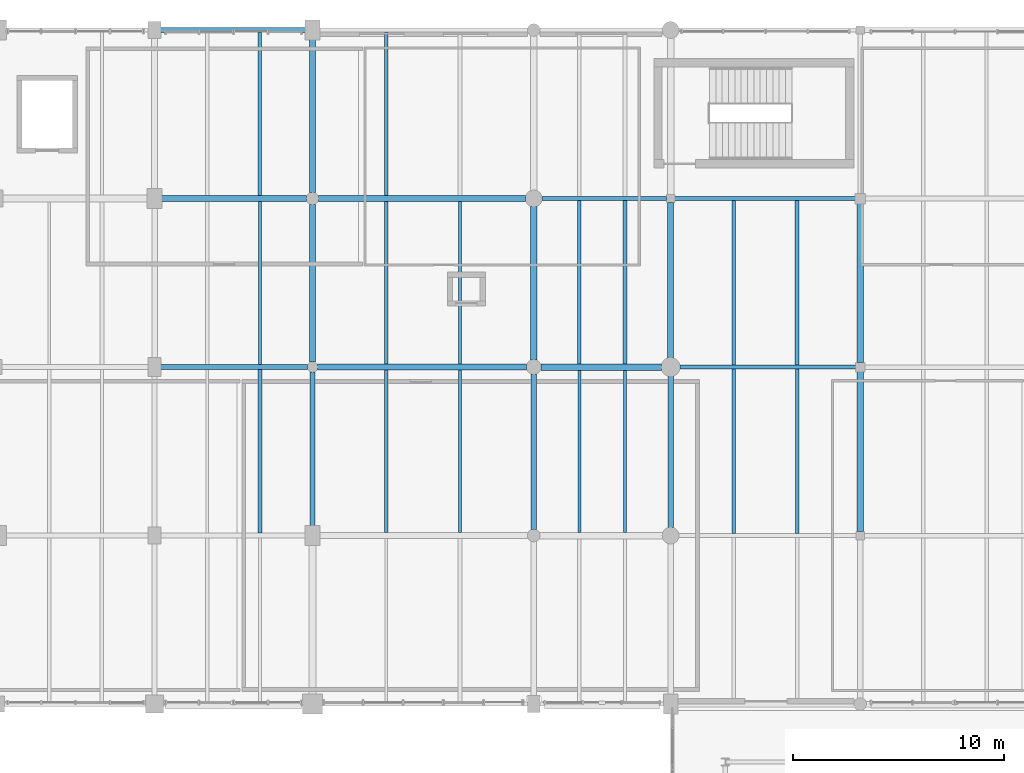
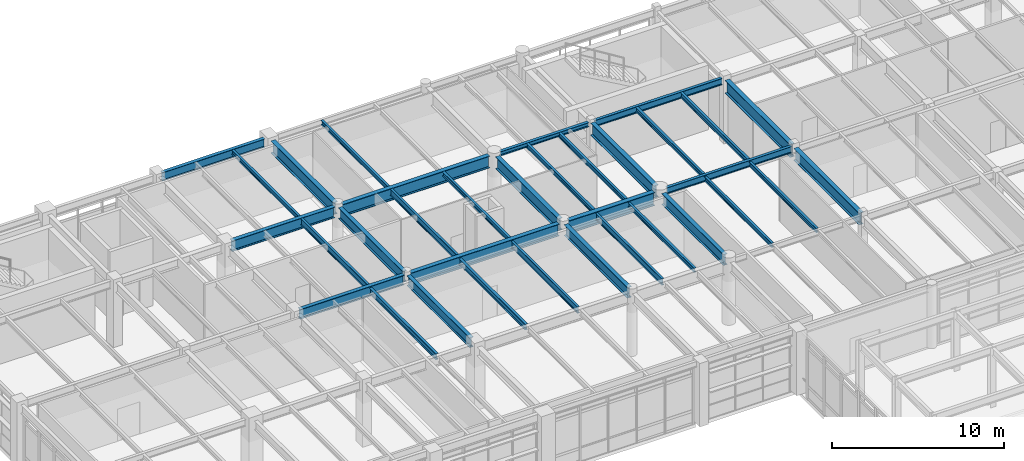
# One storey, part 69 of 200: 34 beams.
"""IFC4 building model written with IfcOpenShell, lengths in metres."""

from ifc_helpers import new_model, si_unit, direction, frame, origin, origin_2d, place, context, subcontext, project, spatial, i_section, extrude, material, material_profile, profile_set, type_object, element, save


model = new_model("IFC4")

# Units and contexts
model_context = context("Model", 3, precision=1e-05, world=origin(), true_north=direction((0.0, 1.0)))
body_context = subcontext(model_context, "Body", "Model", "MODEL_VIEW")
ifc_project = project(units=[si_unit("LENGTHUNIT", "METRE"), si_unit("AREAUNIT", "SQUARE_METRE"), si_unit("VOLUMEUNIT", "CUBIC_METRE"), si_unit("PLANEANGLEUNIT", "RADIAN"), si_unit("MASSUNIT", "GRAM", prefix="KILO"), si_unit("THERMODYNAMICTEMPERATUREUNIT", "KELVIN"), si_unit("POWERUNIT", "WATT")], contexts=[model_context])

# Site, building, storey
site_placement = place(None, origin())
site = spatial("IfcSite", under=ifc_project, at=site_placement, CompositionType="ELEMENT")
building_placement = place(site_placement, origin())
building = spatial("IfcBuilding", under=site, at=building_placement, Name="Tepalcoro Natatorium and Aquatics Centre", CompositionType="ELEMENT")
storey_placement = place(building_placement, frame((0.0, 0.0, 5.39990234375)))
storey = spatial("IfcBuildingStorey", under=building, at=storey_placement, Name="L01", CompositionType="ELEMENT", Elevation=5.39990234375)

# Beams
ifc_material = material(Name="Steel ASTM A992 Grade 50 (Fy 345 MPa)", Category="steel")
ifc_material_profile_1 = material_profile(ifc_material, i_section(OverallWidth=0.202880859375, OverallDepth=0.304931640625, WebThickness=0.007080078125, FlangeThickness=0.012939453125, FilletRadius=0.013916015625, at=origin_2d()), Name="W12X40")
ifc_profile_set_1 = profile_set([ifc_material_profile_1], Name="Steel ASTM A992 Grade 50 (Fy 345 MPa)")
beam_type_1 = type_object("IfcBeamType", Name="BM_W12x40", PredefinedType="BEAM", material=ifc_profile_set_1)
beam_1_placement = place(storey_placement, frame((46.885009765625, 110.0, 4.41259765625), z_axis=(1.0, 0.0, 0.0), x_axis=(0.0, 1.0, 0.0)))
element("IfcBeam", 1, at=beam_1_placement, inside=storey, type_object=beam_type_1, Name="V4 L01 Grid Girder X", PredefinedType="BEAM", context=body_context, shape_type="SweptSolid", body=[
    extrude(i_section(OverallWidth=0.202880859375, OverallDepth=0.304931640625, WebThickness=0.007080078125, FlangeThickness=0.012939453125, FilletRadius=0.013916015625, at=origin_2d()), origin(), (0.0, 0.0, 1.0), 5.929931640625),
])
ifc_material_profile_2 = material_profile(ifc_material, i_section(OverallWidth=0.19091796875, OverallDepth=0.45703125, WebThickness=0.009033203125, FlangeThickness=0.013916015625, FilletRadius=0.013916015625, at=origin_2d()), Name="W18X50")
ifc_profile_set_2 = profile_set([ifc_material_profile_2], Name="Steel ASTM A992 Grade 50 (Fy 345 MPa)")
beam_type_2 = type_object("IfcBeamType", Name="BM_W18x50", PredefinedType="BEAM", material=ifc_profile_set_2)
beam_2_placement = place(storey_placement, frame((53.43505859375, 102.0, 4.336669921875), z_axis=(1.0, 0.0, 0.0), x_axis=(0.0, 1.0, 0.0)))
element("IfcBeam", 2, at=beam_2_placement, inside=storey, type_object=beam_type_2, Name="V4 L01 Grid Girder X", PredefinedType="BEAM", context=body_context, shape_type="SweptSolid", body=[
    extrude(i_section(OverallWidth=0.19091796875, OverallDepth=0.45703125, WebThickness=0.009033203125, FlangeThickness=0.013916015625, FilletRadius=0.013916015625, at=origin_2d()), origin(), (0.0, 0.0, 1.0), 8.35498046875),
])
ifc_material_profile_3 = material_profile(ifc_material, i_section(OverallWidth=0.193115234375, OverallDepth=0.467041015625, WebThickness=0.010986328125, FlangeThickness=0.01904296875, FilletRadius=0.013916015625, at=origin_2d()), Name="W18X65")
ifc_profile_set_3 = profile_set([ifc_material_profile_3], Name="Steel ASTM A992 Grade 50 (Fy 345 MPa)")
beam_type_3 = type_object("IfcBeamType", Name="BM_W18x65", PredefinedType="BEAM", material=ifc_profile_set_3)
beam_3_placement = place(storey_placement, frame((53.18505859375, 110.0, 4.33154296875), z_axis=(1.0, 0.0, 0.0), x_axis=(0.0, 1.0, 0.0)))
element("IfcBeam", 3, at=beam_3_placement, inside=storey, type_object=beam_type_3, Name="V4 L01 Grid Girder X", PredefinedType="BEAM", context=body_context, shape_type="SweptSolid", body=[
    extrude(i_section(OverallWidth=0.193115234375, OverallDepth=0.467041015625, WebThickness=0.010986328125, FlangeThickness=0.01904296875, FilletRadius=0.013916015625, at=origin_2d()), origin(), (0.0, 0.0, 1.0), 8.579833984375),
])
ifc_material_profile_4 = material_profile(ifc_material, i_section(OverallWidth=0.25390625, OverallDepth=0.700927734375, WebThickness=0.014892578125, FlangeThickness=0.028076171875, FilletRadius=0.013916015625, at=origin_2d()), Name="W27X129")
ifc_profile_set_4 = profile_set([ifc_material_profile_4], Name="Steel ASTM A992 Grade 50 (Fy 345 MPa)")
beam_type_4 = type_object("IfcBeamType", Name="BM_W27x129", PredefinedType="BEAM", material=ifc_profile_set_4)
beam_4_placement = place(storey_placement, frame((28.784912109375, 102.0, 4.214599609375), z_axis=(1.0, 0.0, 0.0), x_axis=(0.0, 1.0, 0.0)))
element("IfcBeam", 4, at=beam_4_placement, inside=storey, type_object=beam_type_4, Name="V4 L01 Grid Girder X", PredefinedType="BEAM", context=body_context, shape_type="SweptSolid", body=[
    extrude(i_section(OverallWidth=0.25390625, OverallDepth=0.700927734375, WebThickness=0.014892578125, FlangeThickness=0.028076171875, FilletRadius=0.013916015625, at=origin_2d()), origin(), (0.0, 0.0, 1.0), 6.97998046875),
])
beam_5_placement = place(storey_placement, frame((36.0, 94.4599609375, 4.214599609375), z_axis=(0.0, 1.0, 0.0), x_axis=(-1.0, 0.0, 0.0)))
element("IfcBeam", 5, at=beam_5_placement, inside=storey, type_object=beam_type_4, Name="V4 L01 Grid Girder Y", PredefinedType="BEAM", context=body_context, shape_type="SweptSolid", body=[
    extrude(i_section(OverallWidth=0.25390625, OverallDepth=0.700927734375, WebThickness=0.014892578125, FlangeThickness=0.028076171875, FilletRadius=0.013916015625, at=origin_2d()), origin(), (0.0, 0.0, 1.0), 7.304931640625),
])
ifc_material_profile_5 = material_profile(ifc_material, i_section(OverallWidth=0.26708984375, OverallDepth=0.761962890625, WebThickness=0.013916015625, FlangeThickness=0.02197265625, FilletRadius=0.013916015625, at=origin_2d()), Name="W30X116")
ifc_profile_set_5 = profile_set([ifc_material_profile_5], Name="Steel ASTM A992 Grade 50 (Fy 345 MPa)")
beam_type_5 = type_object("IfcBeamType", Name="BM_W30x116", PredefinedType="BEAM", material=ifc_profile_set_5)
beam_6_placement = place(storey_placement, frame((28.8349609375, 110.0, 4.18408203125), z_axis=(1.0, 0.0, 0.0), x_axis=(0.0, 1.0, 0.0)))
element("IfcBeam", 6, at=beam_6_placement, inside=storey, type_object=beam_type_5, Name="V4 L01 Grid Girder X", PredefinedType="BEAM", context=body_context, shape_type="SweptSolid", body=[
    extrude(i_section(OverallWidth=0.26708984375, OverallDepth=0.761962890625, WebThickness=0.013916015625, FlangeThickness=0.02197265625, FilletRadius=0.013916015625, at=origin_2d()), origin(), (0.0, 0.0, 1.0), 6.880126953125),
])
beam_7_placement = place(storey_placement, frame((46.5, 94.284912109375, 4.18408203125), z_axis=(0.0, 1.0, 0.0), x_axis=(-1.0, 0.0, 0.0)))
element("IfcBeam", 7, at=beam_7_placement, inside=storey, type_object=beam_type_5, Name="V4 L01 Grid Girder Y", PredefinedType="BEAM", context=body_context, shape_type="SweptSolid", body=[
    extrude(i_section(OverallWidth=0.26708984375, OverallDepth=0.761962890625, WebThickness=0.013916015625, FlangeThickness=0.02197265625, FilletRadius=0.013916015625, at=origin_2d()), origin(), (0.0, 0.0, 1.0), 7.380126953125),
])
ifc_material_profile_6 = material_profile(ifc_material, i_section(OverallWidth=0.26708984375, OverallDepth=0.780029296875, WebThickness=0.01708984375, FlangeThickness=0.030029296875, FilletRadius=0.013916015625, at=origin_2d()), Name="W30X148")
ifc_profile_set_6 = profile_set([ifc_material_profile_6], Name="Steel ASTM A992 Grade 50 (Fy 345 MPa)")
beam_type_6 = type_object("IfcBeamType", Name="BM_W30x148", PredefinedType="BEAM", material=ifc_profile_set_6)
beam_8_placement = place(storey_placement, frame((36.0, 102.235107421875, 4.175048828125), z_axis=(0.0, 1.0, 0.0), x_axis=(-1.0, 0.0, 0.0)))
element("IfcBeam", 8, at=beam_8_placement, inside=storey, type_object=beam_type_6, Name="V4 L01 Grid Girder Y", PredefinedType="BEAM", context=body_context, shape_type="SweptSolid", body=[
    extrude(i_section(OverallWidth=0.26708984375, OverallDepth=0.780029296875, WebThickness=0.01708984375, FlangeThickness=0.030029296875, FilletRadius=0.013916015625, at=origin_2d()), origin(), (0.0, 0.0, 1.0), 7.47998046875),
])
beam_9_placement = place(storey_placement, frame((53.0, 94.385009765625, 4.175048828125), z_axis=(0.0, 1.0, 0.0), x_axis=(-1.0, 0.0, 0.0)))
element("IfcBeam", 9, at=beam_9_placement, inside=storey, type_object=beam_type_6, Name="V4 L01 Grid Girder Y", PredefinedType="BEAM", context=body_context, shape_type="SweptSolid", body=[
    extrude(i_section(OverallWidth=0.26708984375, OverallDepth=0.780029296875, WebThickness=0.01708984375, FlangeThickness=0.030029296875, FilletRadius=0.013916015625, at=origin_2d()), origin(), (0.0, 0.0, 1.0), 7.179931640625),
])
ifc_material_profile_7 = material_profile(ifc_material, i_section(OverallWidth=0.2919921875, OverallDepth=0.845947265625, WebThickness=0.014892578125, FlangeThickness=0.02392578125, FilletRadius=0.013916015625, at=origin_2d()), Name="W33X141")
ifc_profile_set_7 = profile_set([ifc_material_profile_7], Name="Steel ASTM A992 Grade 50 (Fy 345 MPa)")
beam_type_7 = type_object("IfcBeamType", Name="BM_W33x141", PredefinedType="BEAM", material=ifc_profile_set_7)
beam_10_placement = place(storey_placement, frame((36.235107421875, 102.0, 4.14208984375), z_axis=(1.0, 0.0, 0.0), x_axis=(0.0, 1.0, 0.0)))
element("IfcBeam", 10, at=beam_10_placement, inside=storey, type_object=beam_type_7, Name="V4 L01 Grid Girder X", PredefinedType="BEAM", context=body_context, shape_type="SweptSolid", body=[
    extrude(i_section(OverallWidth=0.2919921875, OverallDepth=0.845947265625, WebThickness=0.014892578125, FlangeThickness=0.02392578125, FilletRadius=0.013916015625, at=origin_2d()), origin(), (0.0, 0.0, 1.0), 9.929931640625),
])
beam_11_placement = place(storey_placement, frame((46.5, 102.3349609375, 4.14208984375), z_axis=(0.0, 1.0, 0.0), x_axis=(-1.0, 0.0, 0.0)))
element("IfcBeam", 11, at=beam_11_placement, inside=storey, type_object=beam_type_7, Name="V4 L01 Grid Girder Y", PredefinedType="BEAM", context=body_context, shape_type="SweptSolid", body=[
    extrude(i_section(OverallWidth=0.2919921875, OverallDepth=0.845947265625, WebThickness=0.014892578125, FlangeThickness=0.02392578125, FilletRadius=0.013916015625, at=origin_2d()), origin(), (0.0, 0.0, 1.0), 7.280029296875),
])
beam_12_placement = place(storey_placement, frame((62.0, 94.18505859375, 4.06201171875), z_axis=(0.0, 1.0, 0.0), x_axis=(-1.0, 0.0, 0.0)))
element("IfcBeam", 12, at=beam_12_placement, inside=storey, type_object=beam_type_7, Name="V4 L01 Grid Girder Y", PredefinedType="BEAM", context=body_context, shape_type="SweptSolid", body=[
    extrude(i_section(OverallWidth=0.2919921875, OverallDepth=0.845947265625, WebThickness=0.014892578125, FlangeThickness=0.02392578125, FilletRadius=0.013916015625, at=origin_2d()), origin(), (0.0, 0.0, 1.0), 7.60498046875),
])
ifc_material_profile_8 = material_profile(ifc_material, i_section(OverallWidth=0.2919921875, OverallDepth=0.85888671875, WebThickness=0.01708984375, FlangeThickness=0.031005859375, FilletRadius=0.013916015625, at=origin_2d()), Name="W33X169")
ifc_profile_set_8 = profile_set([ifc_material_profile_8], Name="Steel ASTM A992 Grade 50 (Fy 345 MPa)")
beam_type_8 = type_object("IfcBeamType", Name="BM_W33x169", PredefinedType="BEAM", material=ifc_profile_set_8)
beam_13_placement = place(storey_placement, frame((36.284912109375, 110.0, 4.135498046875), z_axis=(1.0, 0.0, 0.0), x_axis=(0.0, 1.0, 0.0)))
element("IfcBeam", 13, at=beam_13_placement, inside=storey, type_object=beam_type_8, Name="V4 L01 Grid Girder X", PredefinedType="BEAM", context=body_context, shape_type="SweptSolid", body=[
    extrude(i_section(OverallWidth=0.2919921875, OverallDepth=0.85888671875, WebThickness=0.01708984375, FlangeThickness=0.031005859375, FilletRadius=0.013916015625, at=origin_2d()), origin(), (0.0, 0.0, 1.0), 9.830078125),
])
beam_14_placement = place(storey_placement, frame((36.0, 110.284912109375, 4.135498046875), z_axis=(0.0, 1.0, 0.0), x_axis=(-1.0, 0.0, 0.0)))
element("IfcBeam", 14, at=beam_14_placement, inside=storey, type_object=beam_type_8, Name="V4 L01 Grid Girder Y", PredefinedType="BEAM", context=body_context, shape_type="SweptSolid", body=[
    extrude(i_section(OverallWidth=0.2919921875, OverallDepth=0.85888671875, WebThickness=0.01708984375, FlangeThickness=0.031005859375, FilletRadius=0.013916015625, at=origin_2d()), origin(), (0.0, 0.0, 1.0), 7.255126953125),
])
beam_15_placement = place(storey_placement, frame((53.0, 102.43505859375, 4.135498046875), z_axis=(0.0, 1.0, 0.0), x_axis=(-1.0, 0.0, 0.0)))
element("IfcBeam", 15, at=beam_15_placement, inside=storey, type_object=beam_type_8, Name="V4 L01 Grid Girder Y", PredefinedType="BEAM", context=body_context, shape_type="SweptSolid", body=[
    extrude(i_section(OverallWidth=0.2919921875, OverallDepth=0.85888671875, WebThickness=0.01708984375, FlangeThickness=0.031005859375, FilletRadius=0.013916015625, at=origin_2d()), origin(), (0.0, 0.0, 1.0), 7.3798828125),
])
ifc_material_profile_9 = material_profile(ifc_material, i_section(OverallWidth=0.304931640625, OverallDepth=0.9189453125, WebThickness=0.01708984375, FlangeThickness=0.028076171875, FilletRadius=0.013916015625, at=origin_2d()), Name="W36X170")
ifc_profile_set_9 = profile_set([ifc_material_profile_9], Name="Steel ASTM A992 Grade 50 (Fy 345 MPa)")
beam_type_9 = type_object("IfcBeamType", Name="BM_W36x170", PredefinedType="BEAM", material=ifc_profile_set_9)
beam_16_placement = place(storey_placement, frame((62.0, 102.2099609375, 4.025634765625), z_axis=(0.0, 1.0, 0.0), x_axis=(-1.0, 0.0, 0.0)))
element("IfcBeam", 16, at=beam_16_placement, inside=storey, type_object=beam_type_9, Name="V4 L01 Grid Girder Y", PredefinedType="BEAM", context=body_context, shape_type="SweptSolid", body=[
    extrude(i_section(OverallWidth=0.304931640625, OverallDepth=0.9189453125, WebThickness=0.01708984375, FlangeThickness=0.028076171875, FilletRadius=0.013916015625, at=origin_2d()), origin(), (0.0, 0.0, 1.0), 7.554931640625),
])
ifc_material_profile_10 = material_profile(ifc_material, i_section(OverallWidth=0.31005859375, OverallDepth=0.931884765625, WebThickness=0.02099609375, FlangeThickness=0.034912109375, FilletRadius=0.013916015625, at=origin_2d()), Name="W36X210")
ifc_profile_set_10 = profile_set([ifc_material_profile_10], Name="Steel ASTM A992 Grade 50 (Fy 345 MPa)")
beam_type_10 = type_object("IfcBeamType", Name="BM_W36x210", PredefinedType="BEAM", material=ifc_profile_set_10)
beam_17_placement = place(storey_placement, frame((46.8349609375, 102.0, 4.09912109375), z_axis=(1.0, 0.0, 0.0), x_axis=(0.0, 1.0, 0.0)))
element("IfcBeam", 17, at=beam_17_placement, inside=storey, type_object=beam_type_10, Name="V4 L01 Grid Girder X", PredefinedType="BEAM", context=body_context, shape_type="SweptSolid", body=[
    extrude(i_section(OverallWidth=0.31005859375, OverallDepth=0.931884765625, WebThickness=0.02099609375, FlangeThickness=0.034912109375, FilletRadius=0.013916015625, at=origin_2d()), origin(), (0.0, 0.0, 1.0), 5.72998046875),
])
ifc_material_profile_11 = material_profile(ifc_material, i_section(OverallWidth=0.1650390625, OverallDepth=0.31005859375, WebThickness=0.006103515625, FlangeThickness=0.010009765625, FilletRadius=0.013916015625, at=origin_2d()), Name="W12X26")
ifc_profile_set_11 = profile_set([ifc_material_profile_11], Name="Steel ASTM A992 Grade 50 (Fy 345 MPa)")
beam_type_11 = type_object("IfcBeamType", Name="JS_W12x26", PredefinedType="JOIST", material=ifc_profile_set_11)
beam_18_placement = place(storey_placement, frame((33.5, 110.133544921875, 4.41015625), z_axis=(0.0, 1.0, 0.0), x_axis=(-1.0, 0.0, 0.0)))
element("IfcBeam", 18, at=beam_18_placement, inside=storey, type_object=beam_type_11, Name="V4 L01 Floor Joist", PredefinedType="JOIST", context=body_context, shape_type="SweptSolid", body=[
    extrude(i_section(OverallWidth=0.1650390625, OverallDepth=0.31005859375, WebThickness=0.006103515625, FlangeThickness=0.010009765625, FilletRadius=0.013916015625, at=origin_2d()), origin(), (0.0, 0.0, 1.0), 7.751953125),
])
beam_19_placement = place(storey_placement, frame((43.0, 102.14599609375, 4.41015625), z_axis=(0.0, 1.0, 0.0), x_axis=(-1.0, 0.0, 0.0)))
element("IfcBeam", 19, at=beam_19_placement, inside=storey, type_object=beam_type_11, Name="V4 L01 Floor Joist", PredefinedType="JOIST", context=body_context, shape_type="SweptSolid", body=[
    extrude(i_section(OverallWidth=0.1650390625, OverallDepth=0.31005859375, WebThickness=0.006103515625, FlangeThickness=0.010009765625, FilletRadius=0.013916015625, at=origin_2d()), origin(), (0.0, 0.0, 1.0), 7.7080078125),
])
beam_20_placement = place(storey_placement, frame((39.5, 110.14599609375, 4.41015625), z_axis=(0.0, 1.0, 0.0), x_axis=(-1.0, 0.0, 0.0)))
element("IfcBeam", 20, at=beam_20_placement, inside=storey, type_object=beam_type_11, Name="V4 L01 Floor Joist", PredefinedType="JOIST", context=body_context, shape_type="SweptSolid", body=[
    extrude(i_section(OverallWidth=0.1650390625, OverallDepth=0.31005859375, WebThickness=0.006103515625, FlangeThickness=0.010009765625, FilletRadius=0.013916015625, at=origin_2d()), origin(), (0.0, 0.0, 1.0), 7.763916015625),
])
beam_21_placement = place(storey_placement, frame((50.833251953125, 94.152587890625, 4.330078125), z_axis=(0.0, 1.0, 0.0), x_axis=(-1.0, 0.0, 0.0)))
element("IfcBeam", 21, at=beam_21_placement, inside=storey, type_object=beam_type_11, Name="V4 L01 Floor Joist", PredefinedType="JOIST", context=body_context, shape_type="SweptSolid", body=[
    extrude(i_section(OverallWidth=0.1650390625, OverallDepth=0.31005859375, WebThickness=0.006103515625, FlangeThickness=0.010009765625, FilletRadius=0.013916015625, at=origin_2d()), origin(), (0.0, 0.0, 1.0), 7.6923828125),
])
beam_22_placement = place(storey_placement, frame((48.666748046875, 102.155029296875, 4.41015625), z_axis=(0.0, 1.0, 0.0), x_axis=(-1.0, 0.0, 0.0)))
element("IfcBeam", 22, at=beam_22_placement, inside=storey, type_object=beam_type_11, Name="V4 L01 Floor Joist", PredefinedType="JOIST", context=body_context, shape_type="SweptSolid", body=[
    extrude(i_section(OverallWidth=0.1650390625, OverallDepth=0.31005859375, WebThickness=0.006103515625, FlangeThickness=0.010009765625, FilletRadius=0.013916015625, at=origin_2d()), origin(), (0.0, 0.0, 1.0), 7.743408203125),
])
beam_23_placement = place(storey_placement, frame((56.0, 94.089111328125, 4.330078125), z_axis=(0.0, 1.0, 0.0), x_axis=(-1.0, 0.0, 0.0)))
element("IfcBeam", 23, at=beam_23_placement, inside=storey, type_object=beam_type_11, Name="V4 L01 Floor Joist", PredefinedType="JOIST", context=body_context, shape_type="SweptSolid", body=[
    extrude(i_section(OverallWidth=0.1650390625, OverallDepth=0.31005859375, WebThickness=0.006103515625, FlangeThickness=0.010009765625, FilletRadius=0.013916015625, at=origin_2d()), origin(), (0.0, 0.0, 1.0), 7.8154296875),
])
ifc_material_profile_12 = material_profile(ifc_material, i_section(OverallWidth=0.1669921875, OverallDepth=0.318115234375, WebThickness=0.008056640625, FlangeThickness=0.012939453125, FilletRadius=0.013916015625, at=origin_2d()), Name="W12X35")
ifc_profile_set_12 = profile_set([ifc_material_profile_12], Name="Steel ASTM A992 Grade 50 (Fy 345 MPa)")
beam_type_12 = type_object("IfcBeamType", Name="JS_W12x35", PredefinedType="JOIST", material=ifc_profile_set_12)
beam_24_placement = place(storey_placement, frame((50.833251953125, 102.155029296875, 4.406005859375), z_axis=(0.0, 1.0, 0.0), x_axis=(-1.0, 0.0, 0.0)))
element("IfcBeam", 24, at=beam_24_placement, inside=storey, type_object=beam_type_12, Name="V4 L01 Floor Joist", PredefinedType="JOIST", context=body_context, shape_type="SweptSolid", body=[
    extrude(i_section(OverallWidth=0.1669921875, OverallDepth=0.318115234375, WebThickness=0.008056640625, FlangeThickness=0.012939453125, FilletRadius=0.013916015625, at=origin_2d()), origin(), (0.0, 0.0, 1.0), 7.743408203125),
])
beam_25_placement = place(storey_placement, frame((59.0, 94.089111328125, 4.326171875), z_axis=(0.0, 1.0, 0.0), x_axis=(-1.0, 0.0, 0.0)))
element("IfcBeam", 25, at=beam_25_placement, inside=storey, type_object=beam_type_12, Name="V4 L01 Floor Joist", PredefinedType="JOIST", context=body_context, shape_type="SweptSolid", body=[
    extrude(i_section(OverallWidth=0.1669921875, OverallDepth=0.318115234375, WebThickness=0.008056640625, FlangeThickness=0.012939453125, FilletRadius=0.013916015625, at=origin_2d()), origin(), (0.0, 0.0, 1.0), 7.8154296875),
])
beam_26_placement = place(storey_placement, frame((56.0, 102.095458984375, 4.406005859375), z_axis=(0.0, 1.0, 0.0), x_axis=(-1.0, 0.0, 0.0)))
element("IfcBeam", 26, at=beam_26_placement, inside=storey, type_object=beam_type_12, Name="V4 L01 Floor Joist", PredefinedType="JOIST", context=body_context, shape_type="SweptSolid", body=[
    extrude(i_section(OverallWidth=0.1669921875, OverallDepth=0.318115234375, WebThickness=0.008056640625, FlangeThickness=0.012939453125, FilletRadius=0.013916015625, at=origin_2d()), origin(), (0.0, 0.0, 1.0), 7.80810546875),
])
ifc_material_profile_13 = material_profile(ifc_material, i_section(OverallWidth=0.1708984375, OverallDepth=0.35107421875, WebThickness=0.007080078125, FlangeThickness=0.010009765625, FilletRadius=0.013916015625, at=origin_2d()), Name="W14X30")
ifc_profile_set_13 = profile_set([ifc_material_profile_13], Name="Steel ASTM A992 Grade 50 (Fy 345 MPa)")
beam_type_13 = type_object("IfcBeamType", Name="JS_W14x30", PredefinedType="JOIST", material=ifc_profile_set_13)
beam_27_placement = place(storey_placement, frame((59.0, 102.095458984375, 4.3896484375), z_axis=(0.0, 1.0, 0.0), x_axis=(-1.0, 0.0, 0.0)))
element("IfcBeam", 27, at=beam_27_placement, inside=storey, type_object=beam_type_13, Name="V4 L01 Floor Joist", PredefinedType="JOIST", context=body_context, shape_type="SweptSolid", body=[
    extrude(i_section(OverallWidth=0.1708984375, OverallDepth=0.35107421875, WebThickness=0.007080078125, FlangeThickness=0.010009765625, FilletRadius=0.013916015625, at=origin_2d()), origin(), (0.0, 0.0, 1.0), 7.80810546875),
])
ifc_material_profile_14 = material_profile(ifc_material, i_section(OverallWidth=0.178955078125, OverallDepth=0.409912109375, WebThickness=0.009033203125, FlangeThickness=0.013916015625, FilletRadius=0.013916015625, at=origin_2d()), Name="W16X45")
ifc_profile_set_14 = profile_set([ifc_material_profile_14], Name="Steel ASTM A992 Grade 50 (Fy 345 MPa)")
beam_type_14 = type_object("IfcBeamType", Name="JS_W16x45", PredefinedType="JOIST", material=ifc_profile_set_14)
beam_28_placement = place(storey_placement, frame((33.5, 94.126953125, 4.280029296875), z_axis=(0.0, 1.0, 0.0), x_axis=(-1.0, 0.0, 0.0)))
element("IfcBeam", 28, at=beam_28_placement, inside=storey, type_object=beam_type_14, Name="V4 L01 Floor Joist", PredefinedType="JOIST", context=body_context, shape_type="SweptSolid", body=[
    extrude(i_section(OverallWidth=0.178955078125, OverallDepth=0.409912109375, WebThickness=0.009033203125, FlangeThickness=0.013916015625, FilletRadius=0.013916015625, at=origin_2d()), origin(), (0.0, 0.0, 1.0), 7.74609375),
])
beam_29_placement = place(storey_placement, frame((39.5, 94.133544921875, 4.280029296875), z_axis=(0.0, 1.0, 0.0), x_axis=(-1.0, 0.0, 0.0)))
element("IfcBeam", 29, at=beam_29_placement, inside=storey, type_object=beam_type_14, Name="V4 L01 Floor Joist", PredefinedType="JOIST", context=body_context, shape_type="SweptSolid", body=[
    extrude(i_section(OverallWidth=0.178955078125, OverallDepth=0.409912109375, WebThickness=0.009033203125, FlangeThickness=0.013916015625, FilletRadius=0.013916015625, at=origin_2d()), origin(), (0.0, 0.0, 1.0), 7.720458984375),
])
ifc_material_profile_15 = material_profile(ifc_material, i_section(OverallWidth=0.153076171875, OverallDepth=0.455078125, WebThickness=0.008056640625, FlangeThickness=0.012939453125, FilletRadius=0.013916015625, at=origin_2d()), Name="W18X40")
ifc_profile_set_15 = profile_set([ifc_material_profile_15], Name="Steel ASTM A992 Grade 50 (Fy 345 MPa)")
beam_type_15 = type_object("IfcBeamType", Name="JS_W18x40", PredefinedType="JOIST", material=ifc_profile_set_15)
beam_30_placement = place(storey_placement, frame((33.5, 102.126953125, 4.337646484375), z_axis=(0.0, 1.0, 0.0), x_axis=(-1.0, 0.0, 0.0)))
element("IfcBeam", 30, at=beam_30_placement, inside=storey, type_object=beam_type_15, Name="V4 L01 Floor Joist", PredefinedType="JOIST", context=body_context, shape_type="SweptSolid", body=[
    extrude(i_section(OverallWidth=0.153076171875, OverallDepth=0.455078125, WebThickness=0.008056640625, FlangeThickness=0.012939453125, FilletRadius=0.013916015625, at=origin_2d()), origin(), (0.0, 0.0, 1.0), 7.739501953125),
])
beam_31_placement = place(storey_placement, frame((43.0, 94.133544921875, 4.257568359375), z_axis=(0.0, 1.0, 0.0), x_axis=(-1.0, 0.0, 0.0)))
element("IfcBeam", 31, at=beam_31_placement, inside=storey, type_object=beam_type_15, Name="V4 L01 Floor Joist", PredefinedType="JOIST", context=body_context, shape_type="SweptSolid", body=[
    extrude(i_section(OverallWidth=0.153076171875, OverallDepth=0.455078125, WebThickness=0.008056640625, FlangeThickness=0.012939453125, FilletRadius=0.013916015625, at=origin_2d()), origin(), (0.0, 0.0, 1.0), 7.720458984375),
])
beam_32_placement = place(storey_placement, frame((39.5, 102.14599609375, 4.337646484375), z_axis=(0.0, 1.0, 0.0), x_axis=(-1.0, 0.0, 0.0)))
element("IfcBeam", 32, at=beam_32_placement, inside=storey, type_object=beam_type_15, Name="V4 L01 Floor Joist", PredefinedType="JOIST", context=body_context, shape_type="SweptSolid", body=[
    extrude(i_section(OverallWidth=0.153076171875, OverallDepth=0.455078125, WebThickness=0.008056640625, FlangeThickness=0.012939453125, FilletRadius=0.013916015625, at=origin_2d()), origin(), (0.0, 0.0, 1.0), 7.7080078125),
])
beam_33_placement = place(storey_placement, frame((48.666748046875, 94.152587890625, 4.257568359375), z_axis=(0.0, 1.0, 0.0), x_axis=(-1.0, 0.0, 0.0)))
element("IfcBeam", 33, at=beam_33_placement, inside=storey, type_object=beam_type_15, Name="V4 L01 Floor Joist", PredefinedType="JOIST", context=body_context, shape_type="SweptSolid", body=[
    extrude(i_section(OverallWidth=0.153076171875, OverallDepth=0.455078125, WebThickness=0.008056640625, FlangeThickness=0.012939453125, FilletRadius=0.013916015625, at=origin_2d()), origin(), (0.0, 0.0, 1.0), 7.6923828125),
])
ifc_material_profile_16 = material_profile(ifc_material, i_section(OverallWidth=0.22900390625, OverallDepth=0.612060546875, WebThickness=0.011962890625, FlangeThickness=0.02001953125, FilletRadius=0.013916015625, at=origin_2d()), Name="W24X84")
ifc_profile_set_16 = profile_set([ifc_material_profile_16], Name="Steel ASTM A992 Grade 50 (Fy 345 MPa)")
beam_type_16 = type_object("IfcBeamType", Name="SP_W24x84", PredefinedType="SPANDREL", material=ifc_profile_set_16)
beam_34_placement = place(storey_placement, frame((28.784912109375, 118.0, 4.259033203125), z_axis=(1.0, 0.0, 0.0), x_axis=(0.0, 1.0, 0.0)))
element("IfcBeam", 34, at=beam_34_placement, inside=storey, type_object=beam_type_16, Name="V4 L01 Grid Girder X", PredefinedType="SPANDREL", context=body_context, shape_type="SweptSolid", body=[
    extrude(i_section(OverallWidth=0.22900390625, OverallDepth=0.612060546875, WebThickness=0.011962890625, FlangeThickness=0.02001953125, FilletRadius=0.013916015625, at=origin_2d()), origin(), (0.0, 0.0, 1.0), 6.880126953125),
])

save(model, "model.ifc")
